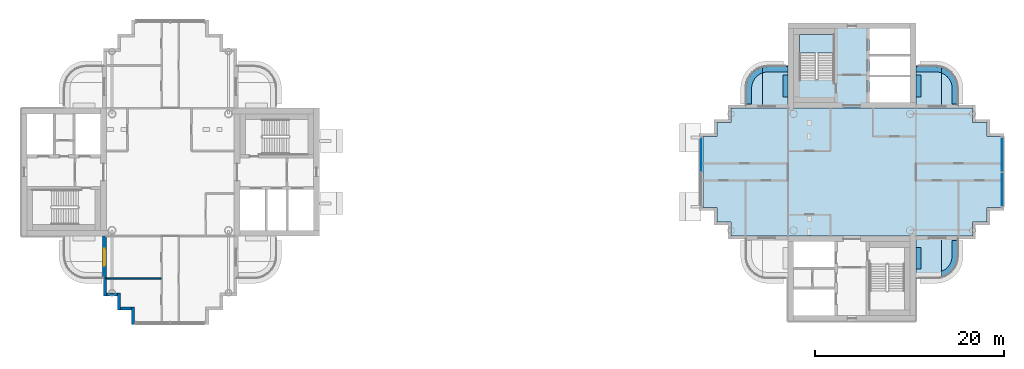
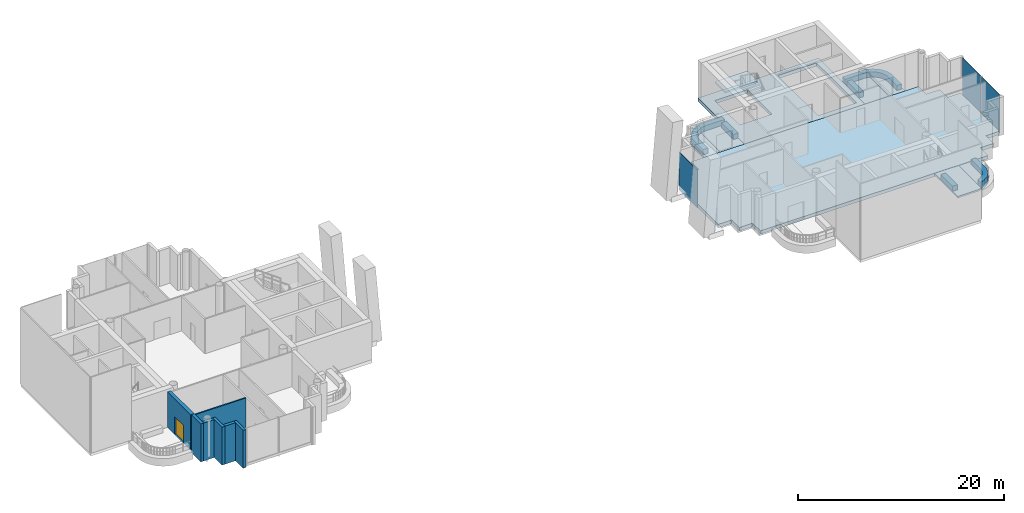
# One storey, part 6 of 19: 17 slabs, 7 walls, 3 plates, 1 door, 1 opening, 3 elements without a shape of their own.
"""IFC4 building model written with IfcOpenShell, lengths in metres."""

from ifc_helpers import new_model, si_unit, direction, frame, frame_2d, origin, origin_2d, place, context, subcontext, project, spatial, polyline, rectangle, outline, extrude, material, layer, layer_set, type_object, element, fill, aggregate, save


model = new_model("IFC4")

# Units and contexts
model_context = context("Model", 3, precision=1e-05, world=origin(), true_north=direction((0.0, 1.0)))
body_context = subcontext(model_context, "Body", "Model", "MODEL_VIEW")
ifc_project = project(units=[si_unit("LENGTHUNIT", "METRE"), si_unit("AREAUNIT", "SQUARE_METRE"), si_unit("VOLUMEUNIT", "CUBIC_METRE"), si_unit("PLANEANGLEUNIT", "RADIAN"), si_unit("MASSUNIT", "GRAM", prefix="KILO")], contexts=[model_context])

# Site, building, storey
site_placement = place(None, origin())
site = spatial("IfcSite", under=ifc_project, at=site_placement, CompositionType="ELEMENT")
building_placement = place(site_placement, origin())
building = spatial("IfcBuilding", under=site, at=building_placement, Name="Ipe Terrace Towers", CompositionType="ELEMENT")
storey_placement = place(building_placement, frame((0.0, 0.0, 237.89990234375)))
storey = spatial("IfcBuildingStorey", under=building, at=storey_placement, Name="L66", CompositionType="ELEMENT", Elevation=237.89990234375)

# Slabs
ifc_material_1 = material(Name="Concrete C30/37", Category="concrete")
ifc_layer_1 = layer(ifc_material_1, 0.199951171875)
ifc_layer_set_1 = layer_set([ifc_layer_1], Name="BALCONY SLAB 200")
slab_type_1 = type_object("IfcSlabType", Name="BALCONY SLAB 200", PredefinedType="FLOOR", material=ifc_layer_set_1)
slab_1_placement = place(storey_placement, frame((0.0, 0.0, -0.219970703125)))
element("IfcSlab", 1, at=slab_1_placement, inside=storey, type_object=slab_type_1, Name="balcony slab", PredefinedType="FLOOR", context=body_context, shape_type="SweptSolid", body=[
    extrude(outline(polyline([(26.8369140625, 11.22900390625), (26.550048828125, 11.172119140625), (26.550048828125, 6.75), (29.25, 6.75), (29.25, 11.25), (27.14990234375, 11.25), (26.8369140625, 11.22900390625)])), origin(), (0.0, 0.0, 1.0), 0.199951171875),
])
slab_2_placement = place(storey_placement, frame((0.0, 0.0, -0.219970703125)))
element("IfcSlab", 2, at=slab_2_placement, inside=storey, type_object=slab_type_1, Name="balcony slab", PredefinedType="FLOOR", context=body_context, shape_type="SweptSolid", body=[
    extrude(outline(polyline([(24.75, 6.75), (26.550048828125, 6.75), (26.550048828125, 11.172119140625), (26.529052734375, 11.16796875), (26.23193359375, 11.06689453125), (25.949951171875, 10.927978515625), (25.68896484375, 10.75390625), (25.452880859375, 10.547119140625), (25.24609375, 10.31103515625), (25.072021484375, 10.050048828125), (24.93310546875, 9.76806640625), (24.83203125, 9.470947265625), (24.77099609375, 9.1630859375), (24.75, 8.85009765625), (24.75, 6.75)])), origin(), (0.0, 0.0, 1.0), 0.199951171875),
])
slab_3_placement = place(storey_placement, frame((0.0, 0.0, -0.219970703125)))
element("IfcSlab", 3, at=slab_3_placement, inside=storey, type_object=slab_type_1, Name="balcony slab", PredefinedType="FLOOR", context=body_context, shape_type="SweptSolid", body=[
    extrude(outline(polyline([(45.1630859375, -11.22900390625), (45.449951171875, -11.172119140625), (45.449951171875, -6.75), (42.75, -6.75), (42.75, -11.25), (44.85009765625, -11.25), (45.1630859375, -11.22900390625)])), origin(), (0.0, 0.0, 1.0), 0.199951171875),
])
slab_4_placement = place(storey_placement, frame((0.0, 0.0, -0.219970703125)))
element("IfcSlab", 4, at=slab_4_placement, inside=storey, type_object=slab_type_1, Name="balcony slab", PredefinedType="FLOOR", context=body_context, shape_type="SweptSolid", body=[
    extrude(outline(polyline([(47.25, -6.75), (45.449951171875, -6.75), (45.449951171875, -11.172119140625), (45.470947265625, -11.16796875), (45.76806640625, -11.06689453125), (46.050048828125, -10.927978515625), (46.31103515625, -10.75390625), (46.547119140625, -10.547119140625), (46.75390625, -10.31103515625), (46.927978515625, -10.050048828125), (47.06689453125, -9.76806640625), (47.16796875, -9.470947265625), (47.22900390625, -9.1630859375), (47.25, -8.85009765625), (47.25, -6.75)])), origin(), (0.0, 0.0, 1.0), 0.199951171875),
])
slab_5_placement = place(storey_placement, frame((0.0, 0.0, -0.219970703125)))
element("IfcSlab", 5, at=slab_5_placement, inside=storey, type_object=slab_type_1, Name="balcony slab", PredefinedType="FLOOR", context=body_context, shape_type="SweptSolid", body=[
    extrude(outline(polyline([(45.1630859375, 11.22900390625), (44.85009765625, 11.25), (42.75, 11.25), (42.75, 6.75), (45.449951171875, 6.75), (45.449951171875, 11.172119140625), (45.1630859375, 11.22900390625)])), origin(), (0.0, 0.0, 1.0), 0.199951171875),
])
slab_6_placement = place(storey_placement, frame((0.0, 0.0, -0.219970703125)))
element("IfcSlab", 6, at=slab_6_placement, inside=storey, type_object=slab_type_1, Name="balcony slab", PredefinedType="FLOOR", context=body_context, shape_type="SweptSolid", body=[
    extrude(outline(polyline([(47.25, 6.75), (47.25, 8.85009765625), (47.22900390625, 9.1630859375), (47.16796875, 9.470947265625), (47.06689453125, 9.76806640625), (46.927978515625, 10.050048828125), (46.75390625, 10.31103515625), (46.547119140625, 10.547119140625), (46.31103515625, 10.75390625), (46.050048828125, 10.927978515625), (45.76806640625, 11.06689453125), (45.470947265625, 11.16796875), (45.449951171875, 11.172119140625), (45.449951171875, 6.75), (47.25, 6.75)])), origin(), (0.0, 0.0, 1.0), 0.199951171875),
])
ifc_material_2 = material(Name="Concrete C30/37", Category="concrete")
ifc_layer_2 = layer(ifc_material_2, 0.39990234375)
ifc_layer_set_2 = layer_set([ifc_layer_2], Name="CORE FLOOR SLAB 400 C30-37")
slab_type_2 = type_object("IfcSlabType", Name="CORE FLOOR SLAB 400 C30-37", PredefinedType="FLOOR", material=ifc_layer_set_2)
slab_7_placement = place(storey_placement, frame((0.0, 0.0, -0.39990234375)))
element("IfcSlab", 7, at=slab_7_placement, inside=storey, type_object=slab_type_2, Name="Core floor T2-C1", PredefinedType="FLOOR", context=body_context, shape_type="SweptSolid", body=[
    extrude(outline(polyline([(29.25, 6.75), (29.25, 15.75), (42.75, 15.75), (42.75, 6.75), (29.25, 6.75)]), holes=[polyline([(42.14990234375, 7.35009765625), (42.14990234375, 15.14990234375), (37.85009765625, 15.14990234375), (37.85009765625, 7.35009765625), (42.14990234375, 7.35009765625)]), polyline([(30.449951171875, 9.800048828125), (34.10009765625, 9.800048828125), (34.10009765625, 14.550048828125), (30.449951171875, 14.550048828125), (30.449951171875, 9.800048828125)])]), origin(), (0.0, 0.0, 1.0), 0.39990234375),
])

# Stair, slab
ifc_material_3 = material(Name="Concrete C30/37", Category="concrete")
stair_type = type_object("IfcStairType", Name="Protected exit stair", PredefinedType="HALF_TURN_STAIR", material=ifc_material_3)
stair_placement = place(storey_placement, origin())
stair = element("IfcStair", 8, at=stair_placement, inside=storey, type_object=stair_type, Name="L66 Exit stair T2-C1", PredefinedType="HALF_TURN_STAIR")
ifc_material_4 = material(Name="Concrete C30/37", Category="concrete")
ifc_layer_3 = layer(ifc_material_4, 0.199951171875)
ifc_layer_set_3 = layer_set([ifc_layer_3], Name="Exit stair landing 200")
slab_type_3 = type_object("IfcSlabType", Name="Exit stair landing 200", PredefinedType="LANDING", material=ifc_layer_set_3)
slab_8_placement = place(storey_placement, frame((0.0, 0.0, 2.050048828125)))
slab_8 = element("IfcSlab", 9, at=slab_8_placement, type_object=slab_type_3, Name="T2-ST1 landing 1", PredefinedType="LANDING", context=body_context, shape_type="SweptSolid", body=[
    extrude(outline(polyline([(34.10009765625, 12.56005859375), (34.10009765625, 14.550048828125), (30.449951171875, 14.550048828125), (30.449951171875, 12.56005859375), (34.10009765625, 12.56005859375)])), origin(), (0.0, 0.0, 1.0), 0.199951171875),
])
aggregate(stair, [slab_8])

# Slab
ifc_material_5 = material(Name="Concrete C40/50", Category="concrete")
ifc_layer_4 = layer(ifc_material_5, 0.39990234375)
ifc_layer_set_4 = layer_set([ifc_layer_4], Name="FLAT PLATE SLAB 400 C40-50")
slab_type_4 = type_object("IfcSlabType", Name="FLAT PLATE SLAB 400 C40-50", PredefinedType="FLOOR", material=ifc_layer_set_4)
slab_9_placement = place(storey_placement, frame((0.0, 0.0, -0.39990234375)))
element("IfcSlab", 10, at=slab_9_placement, inside=storey, type_object=slab_type_4, Name="Slab T2-FS-Z41", PredefinedType="FLOOR", context=body_context, shape_type="SweptSolid", body=[
    extrude(outline(polyline([(48.75, 5.25), (50.25, 5.25), (50.25, 3.75), (51.75, 3.75), (51.75, -3.75), (50.25, -3.75), (50.25, -5.25), (48.75, -5.25), (48.75, -6.75), (42.75, -6.75), (29.25, -6.75), (23.25, -6.75), (23.25, -5.25), (21.75, -5.25), (21.75, -3.75), (20.25, -3.75), (20.25, 3.75), (21.75, 3.75), (21.75, 5.25), (23.25, 5.25), (23.25, 6.75), (29.25, 6.75), (42.75, 6.75), (48.75, 6.75), (48.75, 5.25)])), origin(), (0.0, 0.0, 1.0), 0.39990234375),
])

# Curtain wall, plates
ifc_material_6 = material(Name="Aluminium alloy 6063-T6", Category="aluminium")
ifc_layer_5 = layer(ifc_material_6, 0.320068359375)
ifc_layer_set_5 = layer_set([ifc_layer_5], Name="LANTERN CURTAIN WALL")
curtain_wall_type = type_object("IfcCurtainWallType", Name="LANTERN CURTAIN WALL", PredefinedType="NOTDEFINED", material=ifc_layer_set_5)
curtain_wall_1_placement = place(storey_placement, origin())
curtain_wall_1 = element("IfcCurtainWall", 11, at=curtain_wall_1_placement, inside=storey, type_object=curtain_wall_type, Name="T2-CW-L66-08a curtain wall", PredefinedType="NOTDEFINED")
ifc_material_7 = material(Name="Glass, clear laminated", Category="glass")
ifc_layer_6 = layer(ifc_material_7, 0.0400390625)
ifc_layer_set_6 = layer_set([ifc_layer_6], Name="LANTERN GLASS PANEL 40")
plate_type = type_object("IfcPlateType", Name="LANTERN GLASS PANEL 40", PredefinedType="CURTAIN_PANEL", material=ifc_layer_set_6)
plate_1_placement = place(storey_placement, frame((51.875, -1.824951171875, -0.2998046875), z_axis=(0.0, 0.0, 1.0), x_axis=(0.0, 1.0, 0.0)))
plate_1 = element("IfcPlate", 12, at=plate_1_placement, type_object=plate_type, Name="T2-CW-L66-08a panel 1", PredefinedType="CURTAIN_PANEL", context=body_context, shape_type="SweptSolid", body=[
    extrude(rectangle(XDim=3.570068359375, YDim=0.0400390625, at=origin_2d()), origin(), (0.0, 0.0, 1.0), 4.5),
])
plate_2_placement = place(storey_placement, frame((51.875, 1.824951171875, -0.2998046875), z_axis=(0.0, 0.0, 1.0), x_axis=(0.0, 1.0, 0.0)))
plate_2 = element("IfcPlate", 13, at=plate_2_placement, type_object=plate_type, Name="T2-CW-L66-08a panel 2", PredefinedType="CURTAIN_PANEL", context=body_context, shape_type="SweptSolid", body=[
    extrude(rectangle(XDim=3.570068359375, YDim=0.0400390625, at=origin_2d()), origin(), (0.0, 0.0, 1.0), 4.5),
])
aggregate(curtain_wall_1, [plate_1, plate_2])

# Curtain wall, plate
curtain_wall_2_placement = place(storey_placement, origin())
curtain_wall_2 = element("IfcCurtainWall", 14, at=curtain_wall_2_placement, inside=storey, type_object=curtain_wall_type, Name="T2-CW-L66-26a curtain wall", PredefinedType="NOTDEFINED")
plate_3_placement = place(storey_placement, frame((20.125, 1.824951171875, -0.2998046875), z_axis=(0.0, 0.0, 1.0), x_axis=(0.0, -1.0, 0.0)))
plate_3 = element("IfcPlate", 15, at=plate_3_placement, type_object=plate_type, Name="T2-CW-L66-26a panel 1", PredefinedType="CURTAIN_PANEL", context=body_context, shape_type="SweptSolid", body=[
    extrude(rectangle(XDim=3.570068359375, YDim=0.0400390625, at=origin_2d()), origin(), (0.0, 0.0, 1.0), 4.5),
])
aggregate(curtain_wall_2, [plate_3])

# Slabs
ifc_material_8 = material(Name="Concrete C30/37", Category="concrete")
ifc_layer_7 = layer(ifc_material_8, 0.60009765625)
ifc_layer_set_7 = layer_set([ifc_layer_7], Name="PLANTER TROUGH 550 x 600")
slab_type_5 = type_object("IfcSlabType", Name="PLANTER TROUGH 550 x 600", PredefinedType="USERDEFINED", material=ifc_layer_set_7)
slab_10_placement = place(storey_placement, frame((0.0, 0.0, -0.02001953125)))
element("IfcSlab", 16, at=slab_10_placement, inside=storey, type_object=slab_type_5, Name="planter", ObjectType="PLANTER", PredefinedType="USERDEFINED", context=body_context, shape_type="SweptSolid", body=[
    extrude(outline(polyline([(26.699951171875, 10.529052734375), (26.923095703125, 10.573974609375), (27.172119140625, 10.590087890625), (29.25, 10.590087890625), (29.25, 11.139892578125), (27.1630859375, 11.139892578125), (27.14501953125, 11.138916015625), (26.868896484375, 11.12109375), (26.8330078125, 11.116943359375), (26.574951171875, 11.06494140625), (26.550048828125, 11.05908203125), (26.550048828125, 10.47802734375), (26.699951171875, 10.529052734375)])), origin(), (0.0, 0.0, 1.0), 0.60009765625),
])
slab_11_placement = place(storey_placement, frame((0.0, 0.0, -0.02001953125)))
element("IfcSlab", 17, at=slab_11_placement, inside=storey, type_object=slab_type_5, Name="planter", ObjectType="PLANTER", PredefinedType="USERDEFINED", context=body_context, shape_type="SweptSolid", body=[
    extrude(outline(polyline([(26.485107421875, 10.4560546875), (26.550048828125, 10.47802734375), (26.550048828125, 11.05908203125), (26.5400390625, 11.055908203125), (26.291015625, 10.970947265625), (26.258056640625, 10.95703125), (26.02099609375, 10.841064453125), (25.989990234375, 10.822998046875), (25.77099609375, 10.677001953125), (25.742919921875, 10.655029296875), (25.5439453125, 10.48095703125), (25.51904296875, 10.4560546875), (25.344970703125, 10.257080078125), (25.322998046875, 10.22900390625), (25.177001953125, 10.010009765625), (25.158935546875, 9.97900390625), (25.04296875, 9.741943359375), (25.029052734375, 9.708984375), (24.944091796875, 9.4599609375), (24.93505859375, 9.425048828125), (24.883056640625, 9.1669921875), (24.87890625, 9.131103515625), (24.861083984375, 8.85498046875), (24.860107421875, 8.8369140625), (24.860107421875, 7.199951171875), (25.409912109375, 7.199951171875), (25.409912109375, 8.827880859375), (25.426025390625, 9.076904296875), (25.470947265625, 9.300048828125), (25.5439453125, 9.514892578125), (25.64404296875, 9.718994140625), (25.77099609375, 9.907958984375), (25.9208984375, 10.0791015625), (26.092041015625, 10.22900390625), (26.281005859375, 10.35595703125), (26.485107421875, 10.4560546875)])), origin(), (0.0, 0.0, 1.0), 0.60009765625),
])
slab_12_placement = place(storey_placement, frame((0.0, 0.0, -0.02001953125)))
element("IfcSlab", 18, at=slab_12_placement, inside=storey, type_object=slab_type_5, Name="planter", ObjectType="PLANTER", PredefinedType="USERDEFINED", context=body_context, shape_type="SweptSolid", body=[
    extrude(outline(polyline([(29.25, 7.949951171875), (29.25, 10.25), (28.699951171875, 10.25), (28.699951171875, 7.949951171875), (29.25, 7.949951171875)])), origin(), (0.0, 0.0, 1.0), 0.60009765625),
])
slab_13_placement = place(storey_placement, frame((0.0, 0.0, -0.02001953125)))
element("IfcSlab", 19, at=slab_13_placement, inside=storey, type_object=slab_type_5, Name="planter", ObjectType="PLANTER", PredefinedType="USERDEFINED", context=body_context, shape_type="SweptSolid", body=[
    extrude(outline(polyline([(45.514892578125, -10.4560546875), (45.449951171875, -10.47802734375), (45.449951171875, -11.05908203125), (45.4599609375, -11.055908203125), (45.708984375, -10.970947265625), (45.741943359375, -10.95703125), (45.97900390625, -10.841064453125), (46.010009765625, -10.822998046875), (46.22900390625, -10.677001953125), (46.257080078125, -10.655029296875), (46.4560546875, -10.48095703125), (46.48095703125, -10.4560546875), (46.655029296875, -10.257080078125), (46.677001953125, -10.22900390625), (46.822998046875, -10.010009765625), (46.841064453125, -9.97900390625), (46.95703125, -9.741943359375), (46.970947265625, -9.708984375), (47.055908203125, -9.4599609375), (47.06494140625, -9.425048828125), (47.116943359375, -9.1669921875), (47.12109375, -9.131103515625), (47.138916015625, -8.85498046875), (47.139892578125, -8.8369140625), (47.139892578125, -7.199951171875), (46.590087890625, -7.199951171875), (46.590087890625, -8.827880859375), (46.573974609375, -9.076904296875), (46.529052734375, -9.300048828125), (46.4560546875, -9.514892578125), (46.35595703125, -9.718994140625), (46.22900390625, -9.907958984375), (46.0791015625, -10.0791015625), (45.907958984375, -10.22900390625), (45.718994140625, -10.35595703125), (45.514892578125, -10.4560546875)])), origin(), (0.0, 0.0, 1.0), 0.60009765625),
])
slab_14_placement = place(storey_placement, frame((0.0, 0.0, -0.02001953125)))
element("IfcSlab", 20, at=slab_14_placement, inside=storey, type_object=slab_type_5, Name="planter", ObjectType="PLANTER", PredefinedType="USERDEFINED", context=body_context, shape_type="SweptSolid", body=[
    extrude(outline(polyline([(42.75, -7.949951171875), (42.75, -10.25), (43.300048828125, -10.25), (43.300048828125, -7.949951171875), (42.75, -7.949951171875)])), origin(), (0.0, 0.0, 1.0), 0.60009765625),
])
slab_15_placement = place(storey_placement, frame((0.0, 0.0, -0.02001953125)))
element("IfcSlab", 21, at=slab_15_placement, inside=storey, type_object=slab_type_5, Name="planter", ObjectType="PLANTER", PredefinedType="USERDEFINED", context=body_context, shape_type="SweptSolid", body=[
    extrude(outline(polyline([(45.300048828125, 10.529052734375), (45.449951171875, 10.47802734375), (45.449951171875, 11.05908203125), (45.425048828125, 11.06494140625), (45.1669921875, 11.116943359375), (45.131103515625, 11.12109375), (44.85498046875, 11.138916015625), (44.8369140625, 11.139892578125), (42.75, 11.139892578125), (42.75, 10.590087890625), (44.827880859375, 10.590087890625), (45.076904296875, 10.573974609375), (45.300048828125, 10.529052734375)])), origin(), (0.0, 0.0, 1.0), 0.60009765625),
])
slab_16_placement = place(storey_placement, frame((0.0, 0.0, -0.02001953125)))
element("IfcSlab", 22, at=slab_16_placement, inside=storey, type_object=slab_type_5, Name="planter", ObjectType="PLANTER", PredefinedType="USERDEFINED", context=body_context, shape_type="SweptSolid", body=[
    extrude(outline(polyline([(45.514892578125, 10.4560546875), (45.718994140625, 10.35595703125), (45.907958984375, 10.22900390625), (46.0791015625, 10.0791015625), (46.22900390625, 9.907958984375), (46.35595703125, 9.718994140625), (46.4560546875, 9.514892578125), (46.529052734375, 9.300048828125), (46.573974609375, 9.076904296875), (46.590087890625, 8.827880859375), (46.590087890625, 7.199951171875), (47.139892578125, 7.199951171875), (47.139892578125, 8.8369140625), (47.138916015625, 8.85498046875), (47.12109375, 9.131103515625), (47.116943359375, 9.1669921875), (47.06494140625, 9.425048828125), (47.055908203125, 9.4599609375), (46.970947265625, 9.708984375), (46.95703125, 9.741943359375), (46.841064453125, 9.97900390625), (46.822998046875, 10.010009765625), (46.677001953125, 10.22900390625), (46.655029296875, 10.257080078125), (46.48095703125, 10.4560546875), (46.4560546875, 10.48095703125), (46.257080078125, 10.655029296875), (46.22900390625, 10.677001953125), (46.010009765625, 10.822998046875), (45.97900390625, 10.841064453125), (45.741943359375, 10.95703125), (45.708984375, 10.970947265625), (45.4599609375, 11.055908203125), (45.449951171875, 11.05908203125), (45.449951171875, 10.47802734375), (45.514892578125, 10.4560546875)])), origin(), (0.0, 0.0, 1.0), 0.60009765625),
])
slab_17_placement = place(storey_placement, frame((0.0, 0.0, -0.02001953125)))
element("IfcSlab", 23, at=slab_17_placement, inside=storey, type_object=slab_type_5, Name="planter", ObjectType="PLANTER", PredefinedType="USERDEFINED", context=body_context, shape_type="SweptSolid", body=[
    extrude(outline(polyline([(42.75, 7.949951171875), (43.300048828125, 7.949951171875), (43.300048828125, 10.25), (42.75, 10.25), (42.75, 7.949951171875)])), origin(), (0.0, 0.0, 1.0), 0.60009765625),
])

# Wall, opening, door
ifc_material_9 = material(Name="Concrete C40/50 with buff precast cladding", Category="concrete")
ifc_layer_8 = layer(ifc_material_9, 0.39990234375)
ifc_layer_set_8 = layer_set([ifc_layer_8], Name="BALCONY BAY WALL 400")
wall_type_1 = type_object("IfcWallType", Name="BALCONY BAY WALL 400", PredefinedType="STANDARD", material=ifc_layer_set_8)
wall_1_placement = place(storey_placement, frame((-42.949951171875, -6.75, -0.02001953125), z_axis=(0.0, 0.0, 1.0), x_axis=(0.0, -1.0, 0.0)))
wall_1 = element("IfcWall", 24, at=wall_1_placement, inside=storey, type_object=wall_type_1, Name="T1-W-L66-02a wall", PredefinedType="STANDARD", context=body_context, shape_type="SweptSolid", body=[
    extrude(rectangle(XDim=4.5, YDim=0.39990234375, at=frame_2d((2.25, 0.0))), origin(), (0.0, 0.0, 1.0), 4.22021484375),
])
opening_placement = place(wall_1_placement, frame((1.35009765625, 0.0, 0.02001953125)))
opening = element("IfcOpeningElement", 25, at=opening_placement, cuts=wall_1, Name="Opening T1-D-L66-02", PredefinedType="OPENING", context=body_context, shape_type="SweptSolid", body=[
    extrude(rectangle(XDim=1.800048828125, YDim=2.10009765625, at=frame_2d((0.89990234375, 1.050048828125))), frame((0.0, 0.2099609375, 0.0), z_axis=(0.0, -1.0, 0.0), x_axis=(1.0, 0.0, 0.0)), (0.0, 0.0, 1.0), 0.419921875),
])
ifc_material_10 = material(Name="Aluminium alloy 6063-T6 framed glazed door", Category="aluminium")
door_type = type_object("IfcDoorType", Name="BALCONY DOOR 1800 x 2100 LEFT", OperationType="SINGLE_SWING_LEFT", PredefinedType="DOOR", material=ifc_material_10)
door_placement = place(opening_placement, origin())
door = element("IfcDoor", 26, at=door_placement, inside=storey, type_object=door_type, Name="DB1 door", OperationType="SINGLE_SWING_LEFT", OverallHeight=2.10009765625, OverallWidth=1.800048828125, PredefinedType="DOOR", context=body_context, shape_type="SweptSolid", body=[
    extrude(rectangle(XDim=1.800048828125, YDim=2.10009765625, at=frame_2d((0.89990234375, 1.050048828125))), frame((0.0, 0.02490234375, 0.0), z_axis=(0.0, -1.0, 0.0), x_axis=(1.0, 0.0, 0.0)), (0.0, 0.0, 1.0), 0.050048828125),
])
fill(opening, door)

# Walls
ifc_material_11 = material(Name="Concrete C40/50 with buff precast cladding", Category="concrete")
ifc_layer_9 = layer(ifc_material_11, 0.320068359375)
ifc_layer_set_9 = layer_set([ifc_layer_9], Name="BUFF CLADDING WALL 320")
wall_type_2 = type_object("IfcWallType", Name="BUFF CLADDING WALL 320", PredefinedType="STANDARD", material=ifc_layer_set_9)
wall_2_placement = place(storey_placement, frame((-42.909912109375, -11.25, -0.2998046875), z_axis=(0.0, 0.0, 1.0), x_axis=(0.0, -1.0, 0.0)))
element("IfcWall", 27, at=wall_2_placement, inside=storey, type_object=wall_type_2, Name="T1-W-L66-03a wall", PredefinedType="STANDARD", context=body_context, shape_type="SweptSolid", body=[
    extrude(rectangle(XDim=1.820068359375, YDim=0.320068359375, at=frame_2d((0.91015625, 0.0))), origin(), (0.0, 0.0, 1.0), 4.5),
])
wall_3_placement = place(storey_placement, frame((-42.75, -12.909912109375, -0.2998046875), z_axis=(0.0, 0.0, 1.0), x_axis=(1.0, 0.0, 0.0)))
element("IfcWall", 28, at=wall_3_placement, inside=storey, type_object=wall_type_2, Name="T1-W-L66-04a wall", PredefinedType="STANDARD", context=body_context, shape_type="SweptSolid", body=[
    extrude(rectangle(XDim=1.179931640625, YDim=0.320068359375, at=frame_2d((0.58984375, 0.0))), origin(), (0.0, 0.0, 1.0), 4.5),
])
wall_4_placement = place(storey_placement, frame((-41.409912109375, -12.75, -0.2998046875), z_axis=(0.0, 0.0, 1.0), x_axis=(0.0, -1.0, 0.0)))
element("IfcWall", 29, at=wall_4_placement, inside=storey, type_object=wall_type_2, Name="T1-W-L66-05a wall", PredefinedType="STANDARD", context=body_context, shape_type="SweptSolid", body=[
    extrude(rectangle(XDim=1.820068359375, YDim=0.320068359375, at=frame_2d((0.91015625, 0.0))), origin(), (0.0, 0.0, 1.0), 4.5),
])
wall_5_placement = place(storey_placement, frame((-41.25, -14.409912109375, -0.2998046875), z_axis=(0.0, 0.0, 1.0), x_axis=(1.0, 0.0, 0.0)))
element("IfcWall", 30, at=wall_5_placement, inside=storey, type_object=wall_type_2, Name="T1-W-L66-06a wall", PredefinedType="STANDARD", context=body_context, shape_type="SweptSolid", body=[
    extrude(rectangle(XDim=1.179931640625, YDim=0.320068359375, at=frame_2d((0.58984375, 0.0))), origin(), (0.0, 0.0, 1.0), 4.5),
])
wall_6_placement = place(storey_placement, frame((-39.909912109375, -14.25, -0.2998046875), z_axis=(0.0, 0.0, 1.0), x_axis=(0.0, -1.0, 0.0)))
element("IfcWall", 31, at=wall_6_placement, inside=storey, type_object=wall_type_2, Name="T1-W-L66-07a wall", PredefinedType="STANDARD", context=body_context, shape_type="SweptSolid", body=[
    extrude(rectangle(XDim=1.820068359375, YDim=0.320068359375, at=frame_2d((0.91015625, 0.0))), origin(), (0.0, 0.0, 1.0), 4.5),
])
ifc_material_12 = material(Name="Gypsum board partition", Category="plasterboard")
ifc_layer_10 = layer(ifc_material_12, 0.14990234375)
ifc_layer_set_10 = layer_set([ifc_layer_10], Name="Gypsum board partition 150 mm")
wall_type_3 = type_object("IfcWallType", Name="Gypsum board partition 150 mm", PredefinedType="PARTITIONING", material=ifc_layer_set_10)
wall_7_placement = place(storey_placement, frame((-36.97509765625, -11.25, 0.0), z_axis=(0.0, 0.0, 1.0), x_axis=(-1.0, 0.0, 0.0)))
element("IfcWall", 32, at=wall_7_placement, inside=storey, type_object=wall_type_3, Name="Gypsum board partition T1 L66 sp-Sm-dm1", PredefinedType="PARTITIONING", context=body_context, shape_type="SweptSolid", body=[
    extrude(rectangle(XDim=5.875, YDim=0.14990234375, at=frame_2d((2.9375, 0.0))), origin(), (0.0, 0.0, 1.0), 4.10009765625),
])

save(model, "model.ifc")
